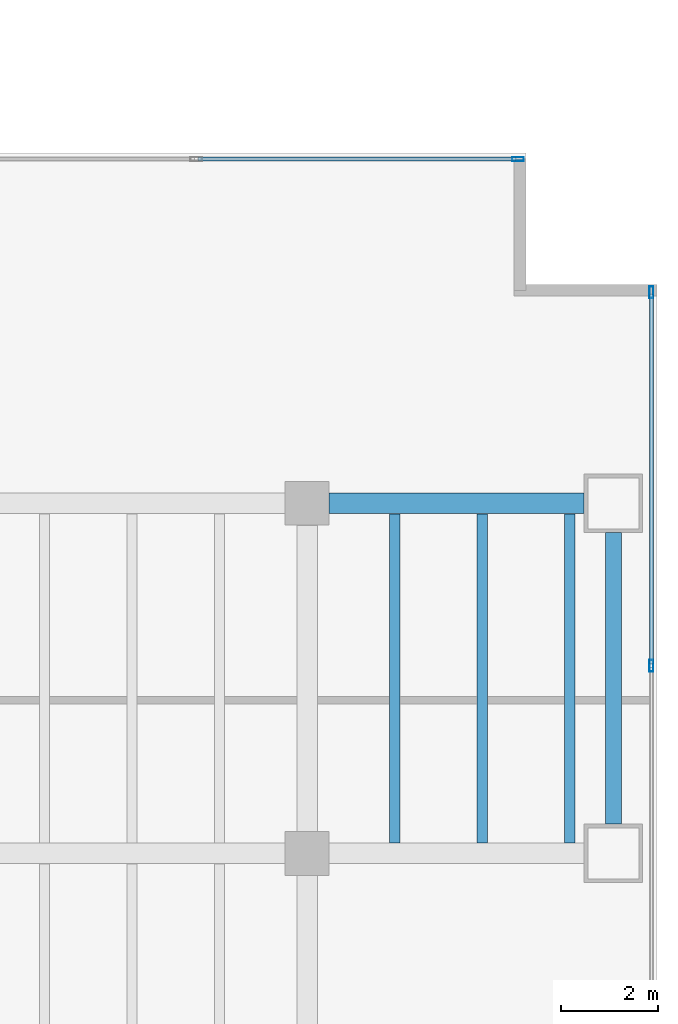
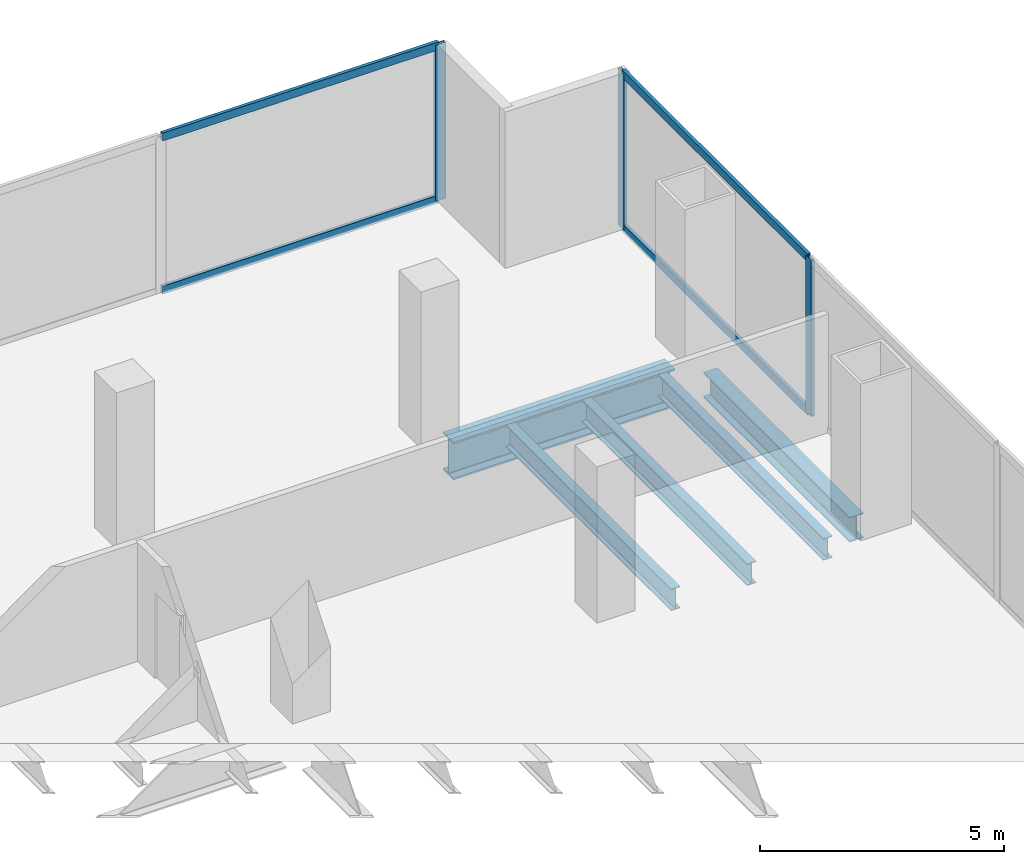
# One storey, part 20 of 29: 7 members, 5 beams, 2 elements without a shape of their own.
"""IFC4 building model written with IfcOpenShell, lengths in metres."""

import ifcopenshell
import ifcopenshell.guid

model = None  # the IFC model being written
_history = None  # IfcOwnerHistory: only IFC2X3 demands one
_inside = {}  # id of a spatial element -> (the spatial element, [elements in it])
_under = {}  # id of a project, library or spatial element -> (it, [spatial elements below it])
_declared = {}  # id of a project -> (the project, [libraries it declares])
_typed = {}  # id of a type object -> (the type object, [elements of that type])
_made_of = {}  # id of a material, layer set ... -> (it, [elements and type objects made of it])


def new_model(schema):
    """Start an empty IFC model of exactly this schema.

    Asked for "IFC4X3", IfcOpenShell would pick the latest addendum, in which some entities
    have other attributes; the version numbers below select the first issue.
    IFC2X3 requires an IfcOwnerHistory on every rooted entity: one is made here for all.
    """
    global model, _history
    if schema == "IFC4X3":
        model = ifcopenshell.file(schema_version=(4, 3, 0, 0))
    else:
        model = ifcopenshell.file(schema=schema)
    _inside.clear()
    _under.clear()
    _declared.clear()
    _typed.clear()
    _made_of.clear()
    _history = None
    if model.schema == "IFC2X3":
        org = make("IfcOrganization", Name="unknown")
        user = make(
            "IfcPersonAndOrganization",
            ThePerson=make("IfcPerson", FamilyName="unknown"),
            TheOrganization=org,
        )
        app = make(
            "IfcApplication",
            ApplicationDeveloper=org,
            Version="unknown",
            ApplicationFullName="unknown",
            ApplicationIdentifier="unknown",
        )
        _history = make(
            "IfcOwnerHistory",
            OwningUser=user,
            OwningApplication=app,
            ChangeAction="ADDED",
            CreationDate=0,
        )
    return model


def make(cls, **values):
    """One entity of the class cls with the attributes given. An attribute that is None is left unset."""
    return model.create_entity(
        cls, **{name: value for name, value in values.items() if value is not None}
    )


def rooted(cls, **values):
    """An entity with a GlobalId (a new one), such as an element, a storey or a relation."""
    return make(cls, GlobalId=ifcopenshell.guid.new(), OwnerHistory=_history, **values)


def si_unit(unit_type, name, prefix=None):
    """IfcSIUnit, for example si_unit("LENGTHUNIT", "METRE", prefix="MILLI")."""
    return make("IfcSIUnit", UnitType=unit_type, Prefix=prefix, Name=name)


def assignment(units):
    """IfcUnitAssignment: the units of a project."""
    return None if units is None else make("IfcUnitAssignment", Units=units)


def point(xyz):
    """IfcCartesianPoint."""
    return None if xyz is None else make("IfcCartesianPoint", Coordinates=xyz)


def direction(xyz):
    """IfcDirection."""
    return None if xyz is None else make("IfcDirection", DirectionRatios=xyz)


def frame(location, z_axis=None, x_axis=None):
    """IfcAxis2Placement3D, a coordinate frame: its origin and axes. An axis left out is left unset."""
    return make(
        "IfcAxis2Placement3D",
        Location=point(location),
        Axis=direction(z_axis),
        RefDirection=direction(x_axis),
    )


def frame_2d(location, x_axis=None):
    """IfcAxis2Placement2D, a coordinate frame in the plane: its origin and x axis."""
    return make(
        "IfcAxis2Placement2D", Location=point(location), RefDirection=direction(x_axis)
    )


def origin():
    """The frame at (0, 0, 0) with its axes left unset."""
    return frame((0.0, 0.0, 0.0))


def origin_2d():
    """The frame at (0, 0) in the plane with its x axis left unset."""
    return frame_2d((0.0, 0.0))


def place(relative_to, where):
    """IfcLocalPlacement: puts the frame where relative to a parent placement (None: the world)."""
    return make(
        "IfcLocalPlacement", PlacementRelTo=relative_to, RelativePlacement=where
    )


def context(
    kind, dimensions, precision=None, world=None, true_north=None, identifier=None
):
    """IfcGeometricRepresentationContext, for example the 3D "Model" context."""
    return make(
        "IfcGeometricRepresentationContext",
        ContextIdentifier=identifier,
        ContextType=kind,
        CoordinateSpaceDimension=dimensions,
        Precision=precision,
        WorldCoordinateSystem=world,
        TrueNorth=true_north,
    )


def subcontext(parent, identifier, kind, view, scale=None):
    """IfcGeometricRepresentationSubContext, for example "Body" below "Model"."""
    return make(
        "IfcGeometricRepresentationSubContext",
        ContextIdentifier=identifier,
        ContextType=kind,
        ParentContext=parent,
        TargetScale=scale,
        TargetView=view,
    )


def project(units=None, contexts=None):
    """IfcProject with its units and contexts."""
    return rooted(
        "IfcProject",
        Name="project",
        RepresentationContexts=contexts,
        UnitsInContext=assignment(units),
    )


def spatial(cls, under=None, at=None, **own):
    """A site, building, storey or space (cls), placed at a placement, below another one or the project."""
    s = rooted(cls, ObjectPlacement=at, **own)
    if under is not None:
        _under.setdefault(under.id(), (under, []))[1].append(s)
    return s


def profile(cls, at=None, kind="AREA", **sizes):
    """A parametric profile (cls). Its sizes go by their IFC names, for example OverallWidth=200.0."""
    return make(cls, ProfileType=kind, Position=at, **sizes)


def hollow_rectangle(**sizes):
    """IfcRectangleHollowProfileDef."""
    return profile("IfcRectangleHollowProfileDef", **sizes)


def i_section(**sizes):
    """IfcIShapeProfileDef."""
    return profile("IfcIShapeProfileDef", **sizes)


def extrude(swept, where, along, depth):
    """IfcExtrudedAreaSolid: the profile swept, set in the frame where, extruded along a direction by depth."""
    return make(
        "IfcExtrudedAreaSolid",
        SweptArea=swept,
        Position=where,
        ExtrudedDirection=direction(along),
        Depth=depth,
    )


def shape(context_of_items, identifier, shape_type, items):
    """IfcShapeRepresentation: the items that make up one representation, for example the "Body"."""
    return make(
        "IfcShapeRepresentation",
        ContextOfItems=context_of_items,
        RepresentationIdentifier=identifier,
        RepresentationType=shape_type,
        Items=items,
    )


def material(Name=None, Category=None):
    """IfcMaterial."""
    return make("IfcMaterial", Name=Name, Category=Category)


def material_profile(
    of_material, cross_section, Name=None, Category=None, Priority=None
):
    """IfcMaterialProfile: a cross section and its material."""
    return make(
        "IfcMaterialProfile",
        Name=Name,
        Material=of_material,
        Profile=cross_section,
        Priority=Priority,
        Category=Category,
    )


def profile_set(profiles, Name=None, composite=None):
    """IfcMaterialProfileSet."""
    return make(
        "IfcMaterialProfileSet",
        Name=Name,
        MaterialProfiles=profiles,
        CompositeProfile=composite,
    )


def made_of(thing, what):
    """Note that an element or type object is made of a material, layer set ...; save() writes the relation."""
    if what is not None:
        _made_of.setdefault(what.id(), (what, []))[1].append(thing)
    return thing


def type_object(cls, material=None, **own):
    """A type object (cls), such as IfcWallType, which elements share."""
    return made_of(rooted(cls, **own), material)


def element(
    cls,
    number,
    at=None,
    inside=None,
    cuts=None,
    type_object=None,
    material=None,
    context=None,
    identifier="Body",
    shape_type=None,
    held_by="IfcProductDefinitionShape",
    body=None,
    shapes=None,
    **own,
):
    """One element of the class cls, such as IfcWall. Its Tag is "e" and its number.

    at: its placement. inside: the storey or other place that contains it. cuts: it is an
    opening in that element (IfcRelVoidsElement). A single representation is given by context,
    identifier, shape_type and body (its items); several are given by shapes. held_by: the class
    of the entity that holds the representations. save() writes the other relations.
    """
    e = rooted(cls, Tag="e%d" % number, ObjectPlacement=at, **own)
    if body is not None:
        shapes = [shape(context, identifier, shape_type, body)]
    if shapes is not None:
        e.Representation = make(held_by, Representations=shapes)
    if inside is not None:
        _inside.setdefault(inside.id(), (inside, []))[1].append(e)
    if cuts is not None:
        rooted(
            "IfcRelVoidsElement", RelatingBuildingElement=cuts, RelatedOpeningElement=e
        )
    if type_object is not None:
        _typed.setdefault(type_object.id(), (type_object, []))[1].append(e)
    return made_of(e, material)


def aggregate(whole, parts):
    """IfcRelAggregates: a whole, such as a stair, and the parts it consists of."""
    return rooted("IfcRelAggregates", RelatingObject=whole, RelatedObjects=parts)


def save(model, path):
    """Write the relations noted so far, then the file.

    IfcRelAggregates (storeys below a building ...), IfcRelContainedInSpatialStructure (elements
    in a storey), IfcRelDefinesByType, IfcRelAssociatesMaterial and IfcRelDeclares: one each for
    every whole, place, type object, material and project.
    """
    for whole, parts in _under.values():
        aggregate(whole, parts)
    for where, things in _inside.values():
        rooted(
            "IfcRelContainedInSpatialStructure",
            RelatedElements=things,
            RelatingStructure=where,
        )
    for kind, things in _typed.values():
        rooted("IfcRelDefinesByType", RelatedObjects=things, RelatingType=kind)
    for what, things in _made_of.values():
        rooted("IfcRelAssociatesMaterial", RelatedObjects=things, RelatingMaterial=what)
    for by, libraries in _declared.values():
        rooted("IfcRelDeclares", RelatingContext=by, RelatedDefinitions=libraries)
    model.write(path)


model = new_model("IFC4")

# Units and contexts
model_context = context("Model", 3, precision=1e-05, world=origin(), true_north=direction((0.0, 1.0)))
body_context = subcontext(model_context, "Body", "Model", "MODEL_VIEW")
ifc_project = project(units=[si_unit("LENGTHUNIT", "METRE"), si_unit("AREAUNIT", "SQUARE_METRE"), si_unit("VOLUMEUNIT", "CUBIC_METRE"), si_unit("PLANEANGLEUNIT", "RADIAN"), si_unit("MASSUNIT", "GRAM", prefix="KILO")], contexts=[model_context])

# Site, building, storey
site_placement = place(None, origin())
site = spatial("IfcSite", under=ifc_project, at=site_placement, CompositionType="ELEMENT")
building_placement = place(site_placement, origin())
building = spatial("IfcBuilding", under=site, at=building_placement, Name="Cobrela Telecom Tower", CompositionType="ELEMENT")
storey_placement = place(building_placement, frame((0.0, 0.0, 13.64990234375)))
storey = spatial("IfcBuildingStorey", under=building, at=storey_placement, Name="L03", CompositionType="ELEMENT", Elevation=13.64990234375)

# Beams
ifc_material_1 = material(Name="Steel ASTM A992 Grade 50", Category="steel")
ifc_material_profile_1 = material_profile(ifc_material_1, i_section(OverallWidth=0.424072265625, OverallDepth=0.947021484375, WebThickness=0.02392578125, FlangeThickness=0.042724609375, FilletRadius=0.02392578125, at=origin_2d()), Name="W36X302")
ifc_profile_set_1 = profile_set([ifc_material_profile_1], Name="Steel ASTM A992 Grade 50")
beam_type_1 = type_object("IfcBeamType", Name="BM-GIRD-01", PredefinedType="USERDEFINED", material=ifc_profile_set_1)
beam_1_placement = place(storey_placement, frame((79.655029296875, 21.60009765625, -0.7734375), z_axis=(1.0, 0.0, 0.0), x_axis=(0.0, 1.0, 0.0)))
element("IfcBeam", 1, at=beam_1_placement, inside=storey, type_object=beam_type_1, Name="L03 Primary Girder X37", ObjectType="GIRDER", PredefinedType="USERDEFINED", context=body_context, shape_type="SweptSolid", body=[
    extrude(i_section(OverallWidth=0.424072265625, OverallDepth=0.947021484375, WebThickness=0.02392578125, FlangeThickness=0.042724609375, FilletRadius=0.02392578125, at=origin_2d()), origin(), (0.0, 0.0, 1.0), 5.239990234375),
])
ifc_material_profile_2 = material_profile(ifc_material_1, i_section(OverallWidth=0.212890625, OverallDepth=0.549072265625, WebThickness=0.0146484375, FlangeThickness=0.023681640625, FilletRadius=0.013916015625, at=origin_2d()), Name="W21X93")
ifc_profile_set_2 = profile_set([ifc_material_profile_2], Name="Steel ASTM A992 Grade 50")
beam_type_2 = type_object("IfcBeamType", Name="BM-JOIST-01", PredefinedType="JOIST", material=ifc_profile_set_2)
for number, where, z_axis, x_axis, name in (
    (2, (81.0, 14.616943359375, -0.574462890625), (0.0, 1.0, 0.0), (-1.0, 0.0, 0.0), "L03 Secondary Composite Floor Beam J136"),
    (3, (82.800048828125, 14.616943359375, -0.574462890625), (0.0, 1.0, 0.0), (-1.0, 0.0, 0.0), "L03 Secondary Composite Floor Beam J137"),
    (4, (84.60009765625, 14.616943359375, -0.574462890625), (0.0, 1.0, 0.0), (-1.0, 0.0, 0.0), "L03 Secondary Composite Floor Beam J138"),
):
    element("IfcBeam", number, at=place(storey_placement, frame(where, z_axis=z_axis, x_axis=x_axis)), inside=storey, type_object=beam_type_2, Name=name, PredefinedType="JOIST", context=body_context, shape_type="SweptSolid", body=[
        extrude(i_section(OverallWidth=0.212890625, OverallDepth=0.549072265625, WebThickness=0.0146484375, FlangeThickness=0.023681640625, FilletRadius=0.013916015625, at=origin_2d()), origin(), (0.0, 0.0, 1.0), 6.76611328125),
    ])
ifc_material_profile_3 = material_profile(ifc_material_1, i_section(OverallWidth=0.327880859375, OverallDepth=0.6220703125, WebThickness=0.015380859375, FlangeThickness=0.0244140625, FilletRadius=0.014892578125, at=origin_2d()), Name="W24X131")
ifc_profile_set_3 = profile_set([ifc_material_profile_3], Name="Steel ASTM A992 Grade 50")
beam_type_3 = type_object("IfcBeamType", Name="BM-SPAND-01", PredefinedType="SPANDREL", material=ifc_profile_set_3)
beam_2_placement = place(storey_placement, frame((85.5, 15.0048828125, -0.61083984375), z_axis=(0.0, 1.0, 0.0), x_axis=(-1.0, 0.0, 0.0)))
element("IfcBeam", 5, at=beam_2_placement, inside=storey, type_object=beam_type_3, Name="L03 Perimeter Spandrel Y100", PredefinedType="SPANDREL", context=body_context, shape_type="SweptSolid", body=[
    extrude(i_section(OverallWidth=0.327880859375, OverallDepth=0.6220703125, WebThickness=0.015380859375, FlangeThickness=0.0244140625, FilletRadius=0.014892578125, at=origin_2d()), origin(), (0.0, 0.0, 1.0), 5.990234375),
])

# Curtain wall, member
ifc_material_2 = material(Name="Anodized Bronze Aluminium 6063-T6", Category="aluminium")
curtain_wall_type = type_object("IfcCurtainWallType", Name="CW-SYS-CONC", PredefinedType="USERDEFINED", material=ifc_material_2)
curtain_wall_1_placement = place(storey_placement, origin())
curtain_wall_1 = element("IfcCurtainWall", 6, at=curtain_wall_1_placement, inside=storey, type_object=curtain_wall_type, Name="L03 Unitised Bronze Curtain Wall 11", ObjectType="UNITISED CURTAIN WALL", PredefinedType="USERDEFINED")
ifc_material_profile_4 = material_profile(ifc_material_2, hollow_rectangle(XDim=0.080078125, YDim=0.239990234375, WallThickness=0.0048828125, at=origin_2d()), Name="ALU 80x240x5")
ifc_profile_set_4 = profile_set([ifc_material_profile_4], Name="Anodized Bronze Aluminium 6063-T6")
member_type_1 = type_object("IfcMemberType", Name="CW-SYS-CONC-MUL", PredefinedType="MULLION", material=ifc_profile_set_4)
member_1_placement = place(storey_placement, frame((83.5400390625, 28.679931640625, 0.0), z_axis=(0.0, 0.0, 1.0), x_axis=(0.0, 1.0, 0.0)))
member_1 = element("IfcMember", 7, at=member_1_placement, type_object=member_type_1, Name="CW-CONC mullion 6", PredefinedType="MULLION", context=body_context, shape_type="SweptSolid", body=[
    extrude(hollow_rectangle(XDim=0.080078125, YDim=0.239990234375, WallThickness=0.0048828125, at=origin_2d()), origin(), (0.0, 0.0, 1.0), 3.91015625),
])

# Curtain wall, members
curtain_wall_2_placement = place(storey_placement, origin())
curtain_wall_2 = element("IfcCurtainWall", 8, at=curtain_wall_2_placement, inside=storey, type_object=curtain_wall_type, Name="L03 Unitised Bronze Curtain Wall 14", ObjectType="UNITISED CURTAIN WALL", PredefinedType="USERDEFINED")
member_2_placement = place(storey_placement, frame((86.280029296875, 25.93994140625, 0.0), z_axis=(0.0, 0.0, 1.0), x_axis=(1.0, 0.0, 0.0)))
member_2 = element("IfcMember", 9, at=member_2_placement, type_object=member_type_1, Name="CW-CONC mullion 1", PredefinedType="MULLION", context=body_context, shape_type="SweptSolid", body=[
    extrude(hollow_rectangle(XDim=0.080078125, YDim=0.239990234375, WallThickness=0.0048828125, at=origin_2d()), origin(), (0.0, 0.0, 1.0), 3.91015625),
])
member_3_placement = place(storey_placement, frame((86.280029296875, 18.260009765625, 0.0), z_axis=(0.0, 0.0, 1.0), x_axis=(1.0, 0.0, 0.0)))
member_3 = element("IfcMember", 10, at=member_3_placement, type_object=member_type_1, Name="CW-CONC mullion 2", PredefinedType="MULLION", context=body_context, shape_type="SweptSolid", body=[
    extrude(hollow_rectangle(XDim=0.080078125, YDim=0.239990234375, WallThickness=0.0048828125, at=origin_2d()), origin(), (0.0, 0.0, 1.0), 3.91015625),
])

# Member
ifc_material_profile_5 = material_profile(ifc_material_2, hollow_rectangle(XDim=0.080078125, YDim=0.199951171875, WallThickness=0.00390625, at=origin_2d()), Name="ALU 80x200x4")
ifc_profile_set_5 = profile_set([ifc_material_profile_5], Name="Anodized Bronze Aluminium 6063-T6")
member_type_2 = type_object("IfcMemberType", Name="CW-SYS-CONC-TRN", PredefinedType="USERDEFINED", material=ifc_profile_set_5)
member_4_placement = place(storey_placement, frame((76.9599609375, 28.679931640625, 0.0400390625), z_axis=(1.0, 0.0, 0.0), x_axis=(0.0, 1.0, 0.0)))
member_4 = element("IfcMember", 11, at=member_4_placement, type_object=member_type_2, Name="CW-CONC transom 5.1", ObjectType="TRANSOM", PredefinedType="USERDEFINED", context=body_context, shape_type="SweptSolid", body=[
    extrude(hollow_rectangle(XDim=0.080078125, YDim=0.199951171875, WallThickness=0.00390625, at=origin_2d()), origin(), (0.0, 0.0, 1.0), 6.5400390625),
])

member_5_placement = place(storey_placement, frame((76.9599609375, 28.679931640625, 3.8701171875), z_axis=(1.0, 0.0, 0.0), x_axis=(0.0, 1.0, 0.0)))
member_5 = element("IfcMember", 12, at=member_5_placement, type_object=member_type_2, Name="CW-CONC transom 5.2", ObjectType="TRANSOM", PredefinedType="USERDEFINED", context=body_context, shape_type="SweptSolid", body=[
    extrude(hollow_rectangle(XDim=0.080078125, YDim=0.199951171875, WallThickness=0.00390625, at=origin_2d()), origin(), (0.0, 0.0, 1.0), 6.5400390625),
])

aggregate(curtain_wall_1, [member_1, member_4, member_5])

member_6_placement = place(storey_placement, frame((86.280029296875, 25.89990234375, 0.0400390625), z_axis=(0.0, -1.0, 0.0), x_axis=(1.0, 0.0, 0.0)))
member_6 = element("IfcMember", 13, at=member_6_placement, type_object=member_type_2, Name="CW-CONC transom 1.1", ObjectType="TRANSOM", PredefinedType="USERDEFINED", context=body_context, shape_type="SweptSolid", body=[
    extrude(hollow_rectangle(XDim=0.080078125, YDim=0.199951171875, WallThickness=0.00390625, at=origin_2d()), origin(), (0.0, 0.0, 1.0), 7.599853515625),
])

member_7_placement = place(storey_placement, frame((86.280029296875, 25.89990234375, 3.8701171875), z_axis=(0.0, -1.0, 0.0), x_axis=(1.0, 0.0, 0.0)))
member_7 = element("IfcMember", 14, at=member_7_placement, type_object=member_type_2, Name="CW-CONC transom 1.2", ObjectType="TRANSOM", PredefinedType="USERDEFINED", context=body_context, shape_type="SweptSolid", body=[
    extrude(hollow_rectangle(XDim=0.080078125, YDim=0.199951171875, WallThickness=0.00390625, at=origin_2d()), origin(), (0.0, 0.0, 1.0), 7.599853515625),
])

aggregate(curtain_wall_2, [member_2, member_3, member_6, member_7])

save(model, "model.ifc")
